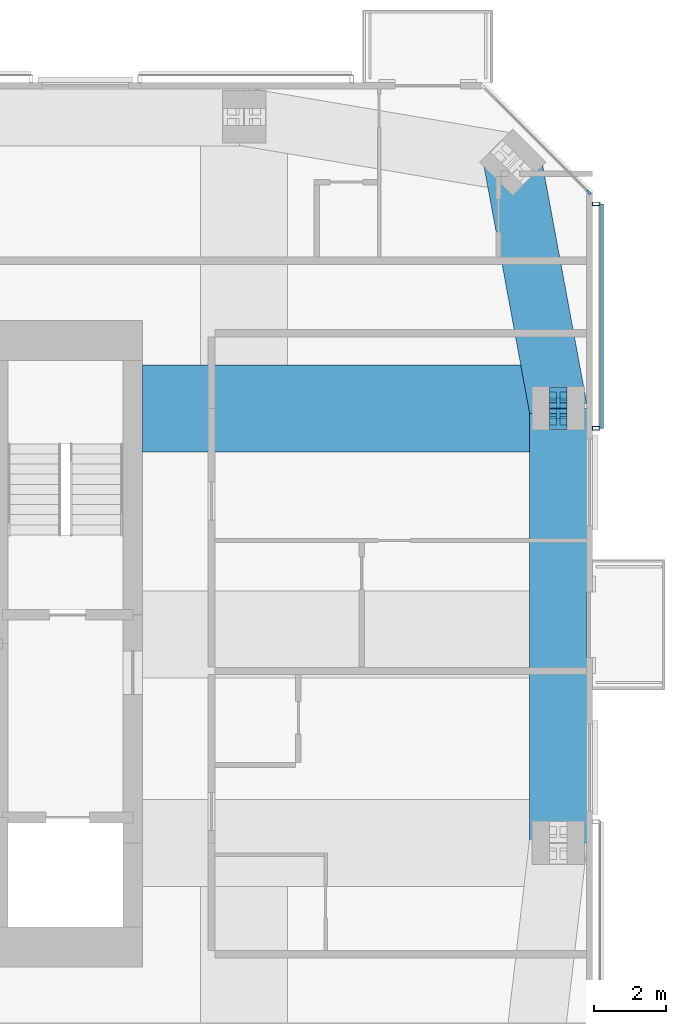
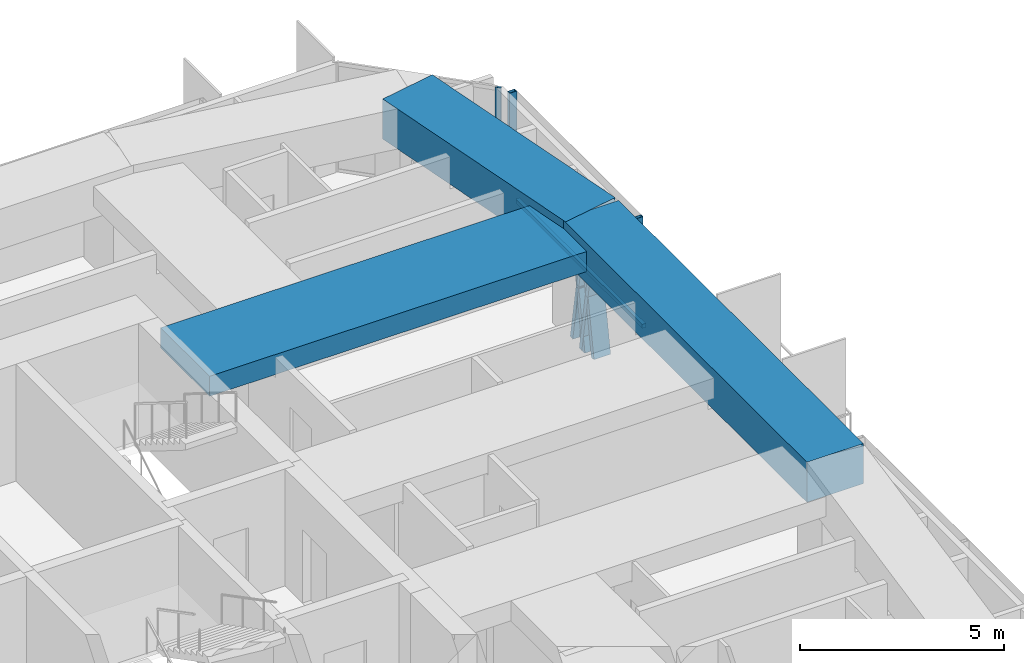
# One storey, part 8 of 18: 8 members, 3 beams, 2 elements without a shape of their own.
"""IFC4 building model written with IfcOpenShell, lengths in metres."""

from ifc_helpers import new_model, si_unit, direction, frame, origin, origin_2d, place, context, subcontext, project, spatial, rectangle, hollow_rectangle, i_section, extrude, material, material_profile, profile_set, type_object, element, aggregate, save


model = new_model("IFC4")

# Units and contexts
model_context = context("Model", 3, precision=1e-05, world=origin(), true_north=direction((0.0, 1.0)))
body_context = subcontext(model_context, "Body", "Model", "MODEL_VIEW")
ifc_project = project(units=[si_unit("LENGTHUNIT", "METRE"), si_unit("AREAUNIT", "SQUARE_METRE"), si_unit("VOLUMEUNIT", "CUBIC_METRE"), si_unit("PLANEANGLEUNIT", "RADIAN"), si_unit("MASSUNIT", "GRAM", prefix="KILO")], contexts=[model_context])

# Site, building, storey
site_placement = place(None, origin())
site = spatial("IfcSite", under=ifc_project, at=site_placement, CompositionType="ELEMENT")
building_placement = place(site_placement, origin())
building = spatial("IfcBuilding", under=site, at=building_placement, Name="Jalousie Tower", CompositionType="ELEMENT")
storey_placement = place(building_placement, frame((0.0, 0.0, 256.449951171875)))
storey = spatial("IfcBuildingStorey", under=building, at=storey_placement, Name="L70", CompositionType="ELEMENT", Elevation=256.449951171875)

# Curtain wall, member
ifc_material_1 = material(Name="Aluminium curtain wall", Category="aluminium")
curtain_wall_type_1 = type_object("IfcCurtainWallType", Name="CORNER WINDOW WALL", PredefinedType="USERDEFINED", material=ifc_material_1)
curtain_wall_1_placement = place(storey_placement, origin())
curtain_wall_1 = element("IfcCurtainWall", 1, at=curtain_wall_1_placement, inside=storey, type_object=curtain_wall_type_1, Name="Corner Window Wall L70 4", ObjectType="CORNER WINDOW WALL", PredefinedType="USERDEFINED")
ifc_material_2 = material(Name="Aluminium mullion", Category="aluminium")
ifc_material_profile_1 = material_profile(ifc_material_2, rectangle(XDim=0.06005859375, YDim=0.14990234375, at=origin_2d()), Name="MULLION 60x150")
ifc_profile_set_1 = profile_set([ifc_material_profile_1], Name="Aluminium mullion")
member_type_1 = type_object("IfcMemberType", Name="CORNER WINDOW WALL MULLION", PredefinedType="MULLION", material=ifc_profile_set_1)
member_1_placement = place(storey_placement, frame((56.391357421875, 30.969970703125, 0.0), z_axis=(0.0, 0.0, 1.0), x_axis=(-0.707106781187, -0.707106781187, 0.0)))
member_1 = element("IfcMember", 2, at=member_1_placement, type_object=member_type_1, Name="CW-C mullion 1", PredefinedType="MULLION", context=body_context, shape_type="SweptSolid", body=[
    extrude(rectangle(XDim=0.06005859375, YDim=0.14990234375, at=origin_2d()), origin(), (0.0, 0.0, 1.0), 3.260009765625),
])
aggregate(curtain_wall_1, [member_1])

# Members
ifc_material_3 = material(Name="Steel ASTM A992 Grade 50", Category="steel")
ifc_material_profile_2 = material_profile(ifc_material_3, i_section(OverallWidth=0.472412109375, OverallDepth=0.5791015625, WebThickness=0.094970703125, FlangeThickness=0.1298828125, at=origin_2d()), Name="W14X808")
ifc_profile_set_2 = profile_set([ifc_material_profile_2], Name="Steel ASTM A992 Grade 50")
member_type_2 = type_object("IfcMemberType", Name="PERIMETER BRACE W14X808", PredefinedType="BRACE", material=ifc_profile_set_2)
for number, where, z_axis, x_axis, name in (
    (3, (55.550048828125, 24.699951171875, -0.599853515625), (0.0, 0.168990530437, 0.98561767467), (-1.0, 0.0, 0.0), "Perimeter brace 07 L70 part 1"),
    (4, (55.550048828125, 25.0, 1.150146484375), (0.0, 0.168990530437, 0.98561767467), (-1.0, 0.0, 0.0), "Perimeter brace 07 L70 part 2"),
    (5, (55.550048828125, 25.300048828125, -0.599853515625), (0.0, -0.168990530437, 0.98561767467), (1.0, 0.0, 0.0), "Perimeter brace 07 L70 part 3"),
    (6, (55.550048828125, 25.0, 1.150146484375), (0.0, -0.168990530437, 0.98561767467), (1.0, 0.0, 0.0), "Perimeter brace 07 L70 part 4"),
):
    element("IfcMember", number, at=place(storey_placement, frame(where, z_axis=z_axis, x_axis=x_axis)), inside=storey, type_object=member_type_2, Name=name, PredefinedType="BRACE", context=body_context, shape_type="SweptSolid", body=[
        extrude(i_section(OverallWidth=0.472412109375, OverallDepth=0.5791015625, WebThickness=0.094970703125, FlangeThickness=0.1298828125, at=origin_2d()), origin(), (0.0, 0.0, 1.0), 1.775634765625),
    ])

# Beams
ifc_material_4 = material(Name="Concrete f'c 40 MPa", Category="concrete")
ifc_material_profile_3 = material_profile(ifc_material_4, rectangle(XDim=1.60009765625, YDim=1.199951171875, at=origin_2d()), Name="RC 1600x1200")
ifc_profile_set_3 = profile_set([ifc_material_profile_3], Name="Concrete f'c 40 MPa")
beam_type_1 = type_object("IfcBeamType", Name="RC BEAM 1600x1200", PredefinedType="BEAM", material=ifc_profile_set_3)
beam_1_placement = place(storey_placement, frame((55.550048828125, 13.0, 2.900146484375), z_axis=(0.0, 1.0, 0.0), x_axis=(-1.0, 0.0, 0.0)))
element("IfcBeam", 7, at=beam_1_placement, inside=storey, type_object=beam_type_1, Name="Edge band beam 06-07 under L71", PredefinedType="BEAM", context=body_context, shape_type="SweptSolid", body=[
    extrude(rectangle(XDim=1.60009765625, YDim=1.199951171875, at=origin_2d()), origin(), (0.0, 0.0, 1.0), 12.0),
])
beam_2_placement = place(storey_placement, frame((55.550048828125, 25.0, 2.900146484375), z_axis=(-0.181966505593, 0.983304729391, 0.0), x_axis=(-0.983304729391, -0.181966505593, 0.0)))
element("IfcBeam", 8, at=beam_2_placement, inside=storey, type_object=beam_type_1, Name="Edge band beam 07-08 under L71", PredefinedType="BEAM", context=body_context, shape_type="SweptSolid", body=[
    extrude(rectangle(XDim=1.60009765625, YDim=1.199951171875, at=origin_2d()), origin(), (0.0, 0.0, 1.0), 6.908203125),
])
ifc_material_5 = material(Name="Concrete f'c 40 MPa", Category="concrete")
ifc_material_profile_4 = material_profile(ifc_material_5, rectangle(XDim=2.39990234375, YDim=0.60009765625, at=origin_2d()), Name="RC 2400x600")
ifc_profile_set_4 = profile_set([ifc_material_profile_4], Name="Concrete f'c 40 MPa")
beam_type_2 = type_object("IfcBeamType", Name="RC BEAM 2400x600", PredefinedType="BEAM", material=ifc_profile_set_4)
beam_3_placement = place(storey_placement, frame((55.550048828125, 25.0, 2.9599609375), z_axis=(-1.0, 0.0, 0.0), x_axis=(0.0, -1.0, 0.0)))
element("IfcBeam", 9, at=beam_3_placement, inside=storey, type_object=beam_type_2, Name="Floor band beam under L71", PredefinedType="BEAM", context=body_context, shape_type="SweptSolid", body=[
    extrude(rectangle(XDim=2.39990234375, YDim=0.60009765625, at=origin_2d()), origin(), (0.0, 0.0, 1.0), 11.47509765625),
])

# Curtain wall, members
ifc_material_6 = material(Name="Perforated aluminium sheet", Category="aluminium")
curtain_wall_type_2 = type_object("IfcCurtainWallType", Name="SOLAR SCREEN SS-2", PredefinedType="USERDEFINED", material=ifc_material_6)
curtain_wall_2_placement = place(storey_placement, origin())
curtain_wall_2 = element("IfcCurtainWall", 10, at=curtain_wall_2_placement, inside=storey, type_object=curtain_wall_type_2, Name="Solar screen L70", ObjectType="SOLAR SCREEN SS-2", PredefinedType="USERDEFINED")
ifc_material_7 = material(Name="Steel ASTM A500 Grade C", Category="steel")
ifc_material_profile_5 = material_profile(ifc_material_7, hollow_rectangle(XDim=0.1015625, YDim=0.203125, WallThickness=0.0078125, at=origin_2d()), Name="HSS8X4X5/16")
ifc_profile_set_5 = profile_set([ifc_material_profile_5], Name="Steel ASTM A500 Grade C")
member_type_3 = type_object("IfcMemberType", Name="SOLAR SCREEN SS-2 MULLION", PredefinedType="MULLION", material=ifc_profile_set_5)
member_2_placement = place(storey_placement, frame((56.5966796875, 24.449951171875, -0.119873046875), z_axis=(0.0, 0.0, 1.0), x_axis=(0.0, 1.0, 0.0)))
member_2 = element("IfcMember", 11, at=member_2_placement, type_object=member_type_3, Name="SS2 post 1", PredefinedType="MULLION", context=body_context, shape_type="SweptSolid", body=[
    extrude(hollow_rectangle(XDim=0.1015625, YDim=0.203125, WallThickness=0.0078125, at=origin_2d()), origin(), (0.0, 0.0, 1.0), 3.3798828125),
])
member_3_placement = place(storey_placement, frame((56.5966796875, 30.648681640625, -0.119873046875), z_axis=(0.0, 0.0, 1.0), x_axis=(0.0, 1.0, 0.0)))
member_3 = element("IfcMember", 12, at=member_3_placement, type_object=member_type_3, Name="SS2 post 2", PredefinedType="MULLION", context=body_context, shape_type="SweptSolid", body=[
    extrude(hollow_rectangle(XDim=0.1015625, YDim=0.203125, WallThickness=0.0078125, at=origin_2d()), origin(), (0.0, 0.0, 1.0), 3.3798828125),
])
ifc_material_8 = material(Name="Extruded aluminium screen rail", Category="aluminium")
ifc_material_profile_6 = material_profile(ifc_material_8, rectangle(XDim=0.1015625, YDim=0.1201171875, at=origin_2d()), Name="RAIL 102x120")
ifc_profile_set_6 = profile_set([ifc_material_profile_6], Name="Extruded aluminium screen rail")
member_type_4 = type_object("IfcMemberType", Name="SOLAR SCREEN SS-2 TRANSOM", PredefinedType="USERDEFINED", material=ifc_profile_set_6)
member_4_placement = place(storey_placement, frame((56.7490234375, 24.449951171875, -0.06005859375), z_axis=(0.0, 1.0, 0.0), x_axis=(-1.0, 0.0, 0.0)))
member_4 = element("IfcMember", 13, at=member_4_placement, type_object=member_type_4, Name="SS2 rail", ObjectType="TRANSOM", PredefinedType="USERDEFINED", context=body_context, shape_type="SweptSolid", body=[
    extrude(rectangle(XDim=0.1015625, YDim=0.1201171875, at=origin_2d()), origin(), (0.0, 0.0, 1.0), 6.19873046875),
])
aggregate(curtain_wall_2, [member_2, member_3, member_4])

save(model, "model.ifc")
